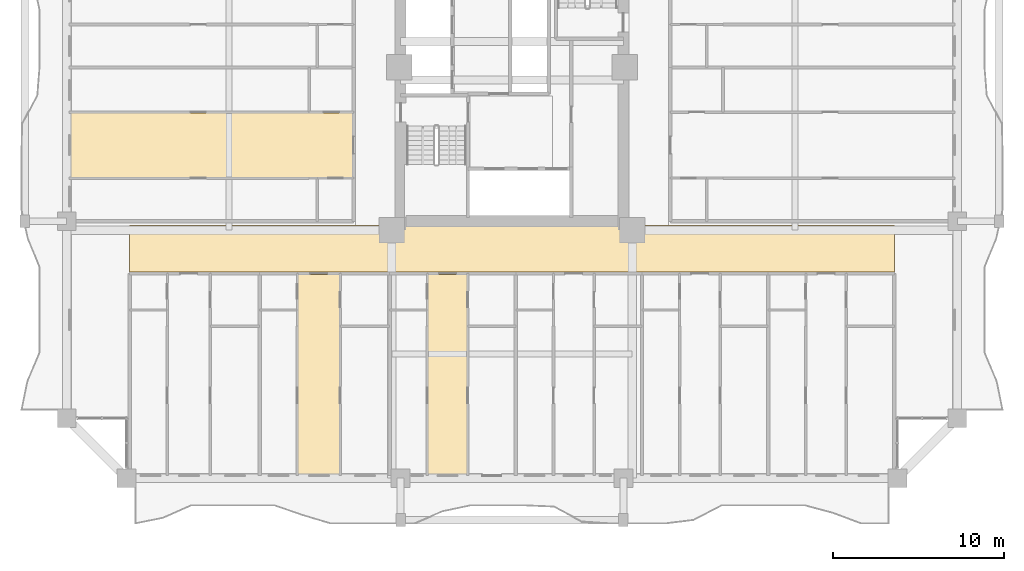
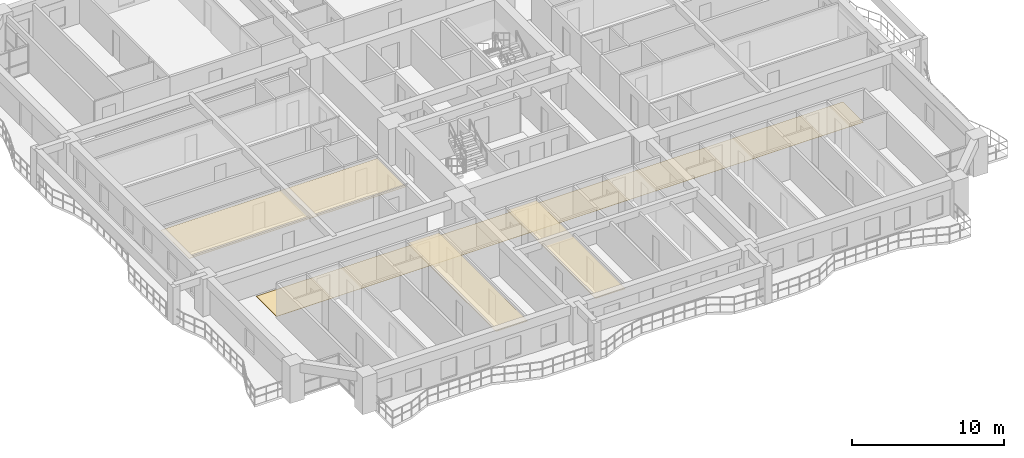
# One storey, part 24 of 28: 4 coverings.
"""IFC4 building model written with IfcOpenShell, lengths in metres."""

import ifcopenshell
import ifcopenshell.guid

model = None  # the IFC model being written
_history = None  # IfcOwnerHistory: only IFC2X3 demands one
_inside = {}  # id of a spatial element -> (the spatial element, [elements in it])
_under = {}  # id of a project, library or spatial element -> (it, [spatial elements below it])
_declared = {}  # id of a project -> (the project, [libraries it declares])
_typed = {}  # id of a type object -> (the type object, [elements of that type])
_made_of = {}  # id of a material, layer set ... -> (it, [elements and type objects made of it])


def new_model(schema):
    """Start an empty IFC model of exactly this schema.

    Asked for "IFC4X3", IfcOpenShell would pick the latest addendum, in which some entities
    have other attributes; the version numbers below select the first issue.
    IFC2X3 requires an IfcOwnerHistory on every rooted entity: one is made here for all.
    """
    global model, _history
    if schema == "IFC4X3":
        model = ifcopenshell.file(schema_version=(4, 3, 0, 0))
    else:
        model = ifcopenshell.file(schema=schema)
    _inside.clear()
    _under.clear()
    _declared.clear()
    _typed.clear()
    _made_of.clear()
    _history = None
    if model.schema == "IFC2X3":
        org = make("IfcOrganization", Name="unknown")
        user = make(
            "IfcPersonAndOrganization",
            ThePerson=make("IfcPerson", FamilyName="unknown"),
            TheOrganization=org,
        )
        app = make(
            "IfcApplication",
            ApplicationDeveloper=org,
            Version="unknown",
            ApplicationFullName="unknown",
            ApplicationIdentifier="unknown",
        )
        _history = make(
            "IfcOwnerHistory",
            OwningUser=user,
            OwningApplication=app,
            ChangeAction="ADDED",
            CreationDate=0,
        )
    return model


def make(cls, **values):
    """One entity of the class cls with the attributes given. An attribute that is None is left unset."""
    return model.create_entity(
        cls, **{name: value for name, value in values.items() if value is not None}
    )


def rooted(cls, **values):
    """An entity with a GlobalId (a new one), such as an element, a storey or a relation."""
    return make(cls, GlobalId=ifcopenshell.guid.new(), OwnerHistory=_history, **values)


def si_unit(unit_type, name, prefix=None):
    """IfcSIUnit, for example si_unit("LENGTHUNIT", "METRE", prefix="MILLI")."""
    return make("IfcSIUnit", UnitType=unit_type, Prefix=prefix, Name=name)


def assignment(units):
    """IfcUnitAssignment: the units of a project."""
    return None if units is None else make("IfcUnitAssignment", Units=units)


def point(xyz):
    """IfcCartesianPoint."""
    return None if xyz is None else make("IfcCartesianPoint", Coordinates=xyz)


def direction(xyz):
    """IfcDirection."""
    return None if xyz is None else make("IfcDirection", DirectionRatios=xyz)


def frame(location, z_axis=None, x_axis=None):
    """IfcAxis2Placement3D, a coordinate frame: its origin and axes. An axis left out is left unset."""
    return make(
        "IfcAxis2Placement3D",
        Location=point(location),
        Axis=direction(z_axis),
        RefDirection=direction(x_axis),
    )


def origin():
    """The frame at (0, 0, 0) with its axes left unset."""
    return frame((0.0, 0.0, 0.0))


def place(relative_to, where):
    """IfcLocalPlacement: puts the frame where relative to a parent placement (None: the world)."""
    return make(
        "IfcLocalPlacement", PlacementRelTo=relative_to, RelativePlacement=where
    )


def context(
    kind, dimensions, precision=None, world=None, true_north=None, identifier=None
):
    """IfcGeometricRepresentationContext, for example the 3D "Model" context."""
    return make(
        "IfcGeometricRepresentationContext",
        ContextIdentifier=identifier,
        ContextType=kind,
        CoordinateSpaceDimension=dimensions,
        Precision=precision,
        WorldCoordinateSystem=world,
        TrueNorth=true_north,
    )


def subcontext(parent, identifier, kind, view, scale=None):
    """IfcGeometricRepresentationSubContext, for example "Body" below "Model"."""
    return make(
        "IfcGeometricRepresentationSubContext",
        ContextIdentifier=identifier,
        ContextType=kind,
        ParentContext=parent,
        TargetScale=scale,
        TargetView=view,
    )


def project(units=None, contexts=None):
    """IfcProject with its units and contexts."""
    return rooted(
        "IfcProject",
        Name="project",
        RepresentationContexts=contexts,
        UnitsInContext=assignment(units),
    )


def spatial(cls, under=None, at=None, **own):
    """A site, building, storey or space (cls), placed at a placement, below another one or the project."""
    s = rooted(cls, ObjectPlacement=at, **own)
    if under is not None:
        _under.setdefault(under.id(), (under, []))[1].append(s)
    return s


def polyline(points):
    """IfcPolyline through the points."""
    return make("IfcPolyline", Points=[point(p) for p in points])


def outline(outer, holes=None, kind="AREA"):
    """IfcArbitraryClosedProfileDef: a profile drawn as a closed curve; with holes, ...WithVoids."""
    if holes is None:
        return make("IfcArbitraryClosedProfileDef", ProfileType=kind, OuterCurve=outer)
    return make(
        "IfcArbitraryProfileDefWithVoids",
        ProfileType=kind,
        OuterCurve=outer,
        InnerCurves=holes,
    )


def extrude(swept, where, along, depth):
    """IfcExtrudedAreaSolid: the profile swept, set in the frame where, extruded along a direction by depth."""
    return make(
        "IfcExtrudedAreaSolid",
        SweptArea=swept,
        Position=where,
        ExtrudedDirection=direction(along),
        Depth=depth,
    )


def shape(context_of_items, identifier, shape_type, items):
    """IfcShapeRepresentation: the items that make up one representation, for example the "Body"."""
    return make(
        "IfcShapeRepresentation",
        ContextOfItems=context_of_items,
        RepresentationIdentifier=identifier,
        RepresentationType=shape_type,
        Items=items,
    )


def material(Name=None, Category=None):
    """IfcMaterial."""
    return make("IfcMaterial", Name=Name, Category=Category)


def layer(
    of_material, thickness, ventilated=None, Name=None, Category=None, Priority=None
):
    """IfcMaterialLayer: one layer of a wall or slab, of a material (None: an air gap)."""
    return make(
        "IfcMaterialLayer",
        Material=of_material,
        LayerThickness=thickness,
        IsVentilated=ventilated,
        Name=Name,
        Category=Category,
        Priority=Priority,
    )


def layer_set(layers, Name=None):
    """IfcMaterialLayerSet."""
    return make("IfcMaterialLayerSet", MaterialLayers=layers, LayerSetName=Name)


def made_of(thing, what):
    """Note that an element or type object is made of a material, layer set ...; save() writes the relation."""
    if what is not None:
        _made_of.setdefault(what.id(), (what, []))[1].append(thing)
    return thing


def type_object(cls, material=None, **own):
    """A type object (cls), such as IfcWallType, which elements share."""
    return made_of(rooted(cls, **own), material)


def element(
    cls,
    number,
    at=None,
    inside=None,
    cuts=None,
    type_object=None,
    material=None,
    context=None,
    identifier="Body",
    shape_type=None,
    held_by="IfcProductDefinitionShape",
    body=None,
    shapes=None,
    **own,
):
    """One element of the class cls, such as IfcWall. Its Tag is "e" and its number.

    at: its placement. inside: the storey or other place that contains it. cuts: it is an
    opening in that element (IfcRelVoidsElement). A single representation is given by context,
    identifier, shape_type and body (its items); several are given by shapes. held_by: the class
    of the entity that holds the representations. save() writes the other relations.
    """
    e = rooted(cls, Tag="e%d" % number, ObjectPlacement=at, **own)
    if body is not None:
        shapes = [shape(context, identifier, shape_type, body)]
    if shapes is not None:
        e.Representation = make(held_by, Representations=shapes)
    if inside is not None:
        _inside.setdefault(inside.id(), (inside, []))[1].append(e)
    if cuts is not None:
        rooted(
            "IfcRelVoidsElement", RelatingBuildingElement=cuts, RelatedOpeningElement=e
        )
    if type_object is not None:
        _typed.setdefault(type_object.id(), (type_object, []))[1].append(e)
    return made_of(e, material)


def aggregate(whole, parts):
    """IfcRelAggregates: a whole, such as a stair, and the parts it consists of."""
    return rooted("IfcRelAggregates", RelatingObject=whole, RelatedObjects=parts)


def save(model, path):
    """Write the relations noted so far, then the file.

    IfcRelAggregates (storeys below a building ...), IfcRelContainedInSpatialStructure (elements
    in a storey), IfcRelDefinesByType, IfcRelAssociatesMaterial and IfcRelDeclares: one each for
    every whole, place, type object, material and project.
    """
    for whole, parts in _under.values():
        aggregate(whole, parts)
    for where, things in _inside.values():
        rooted(
            "IfcRelContainedInSpatialStructure",
            RelatedElements=things,
            RelatingStructure=where,
        )
    for kind, things in _typed.values():
        rooted("IfcRelDefinesByType", RelatedObjects=things, RelatingType=kind)
    for what, things in _made_of.values():
        rooted("IfcRelAssociatesMaterial", RelatedObjects=things, RelatingMaterial=what)
    for by, libraries in _declared.values():
        rooted("IfcRelDeclares", RelatingContext=by, RelatedDefinitions=libraries)
    model.write(path)


model = new_model("IFC4")

# Units and contexts
model_context = context("Model", 3, precision=1e-05, world=origin(), true_north=direction((0.0, 1.0)))
body_context = subcontext(model_context, "Body", "Model", "MODEL_VIEW")
ifc_project = project(units=[si_unit("LENGTHUNIT", "METRE"), si_unit("AREAUNIT", "SQUARE_METRE"), si_unit("VOLUMEUNIT", "CUBIC_METRE"), si_unit("PLANEANGLEUNIT", "RADIAN"), si_unit("MASSUNIT", "GRAM", prefix="KILO")], contexts=[model_context])

# Site, building, storey
site_placement = place(None, origin())
site = spatial("IfcSite", under=ifc_project, at=site_placement, CompositionType="ELEMENT")
building_placement = place(site_placement, origin())
building = spatial("IfcBuilding", under=site, at=building_placement, Name="Saelheon Loggia Tower", CompositionType="ELEMENT")
storey_placement = place(building_placement, frame((0.0, 0.0, 25.39990234375)))
storey = spatial("IfcBuildingStorey", under=building, at=storey_placement, Name="L07", CompositionType="ELEMENT", Elevation=25.39990234375)

# Coverings
ifc_material_1 = material(Name="Mineral-Fibre Acoustic Ceiling Board", Category="gypsum")
ifc_layer_1 = layer(ifc_material_1, 0.02490234375)
ifc_layer_set_1 = layer_set([ifc_layer_1], Name="Mineral-Fibre Acoustic Ceiling Board")
covering_type_1 = type_object("IfcCoveringType", Name="Cov_Ceiling_Acoustic", PredefinedType="CEILING", material=ifc_layer_set_1)
covering_1_placement = place(storey_placement, frame((0.0, 0.0, 2.53515625)))
element("IfcCovering", 1, at=covering_1_placement, inside=storey, type_object=covering_type_1, Name="L07 Acoustic Suspended Ceiling", PredefinedType="CEILING", context=body_context, shape_type="SweptSolid", body=[
    extrude(outline(polyline([(25.518798828125, 3.199951171875), (27.923828125, 3.199951171875), (27.923828125, 14.89990234375), (25.518798828125, 14.89990234375), (25.518798828125, 3.199951171875)])), origin(), (0.0, 0.0, 1.0), 0.02490234375),
])
covering_2_placement = place(storey_placement, frame((0.0, 0.0, 2.53515625)))
element("IfcCovering", 2, at=covering_2_placement, inside=storey, type_object=covering_type_1, Name="L07 Acoustic Suspended Ceiling", PredefinedType="CEILING", context=body_context, shape_type="SweptSolid", body=[
    extrude(outline(polyline([(33.107666015625, 3.199951171875), (35.374267578125, 3.199951171875), (35.374267578125, 14.89990234375), (33.107666015625, 14.89990234375), (33.107666015625, 3.199951171875)])), origin(), (0.0, 0.0, 1.0), 0.02490234375),
])
covering_3_placement = place(storey_placement, frame((0.0, 0.0, 2.53515625)))
element("IfcCovering", 3, at=covering_3_placement, inside=storey, type_object=covering_type_1, Name="L07 Acoustic Suspended Ceiling", PredefinedType="CEILING", context=body_context, shape_type="SweptSolid", body=[
    extrude(outline(polyline([(12.199951171875, 20.56298828125), (28.699951171875, 20.56298828125), (28.699951171875, 24.324951171875), (12.199951171875, 24.324951171875), (12.199951171875, 20.56298828125)])), origin(), (0.0, 0.0, 1.0), 0.02490234375),
])
ifc_material_2 = material(Name="Vitrified Porcelain Floor Tile", Category="ceramic")
ifc_layer_2 = layer(ifc_material_2, 0.02001953125)
ifc_layer_set_2 = layer_set([ifc_layer_2], Name="Vitrified Porcelain Floor Tile")
covering_type_2 = type_object("IfcCoveringType", Name="Cov_Floor_Porcelain", PredefinedType="FLOORING", material=ifc_layer_set_2)
covering_4_placement = place(storey_placement, origin())
element("IfcCovering", 4, at=covering_4_placement, inside=storey, type_object=covering_type_2, Name="L07 Corridor Porcelain Flooring", PredefinedType="FLOORING", context=body_context, shape_type="SweptSolid", body=[
    extrude(outline(polyline([(15.679931640625, 15.050048828125), (60.320068359375, 15.050048828125), (60.320068359375, 17.75), (15.679931640625, 17.75), (15.679931640625, 15.050048828125)])), origin(), (0.0, 0.0, 1.0), 0.02001953125),
])

save(model, "model.ifc")
